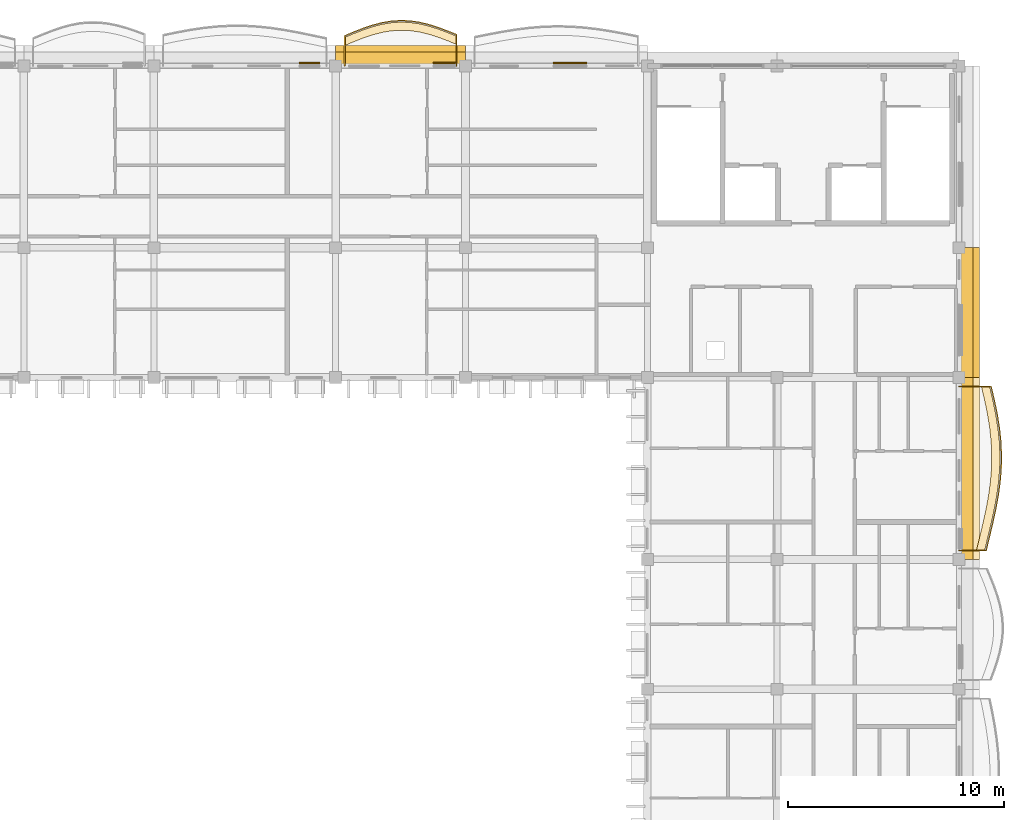
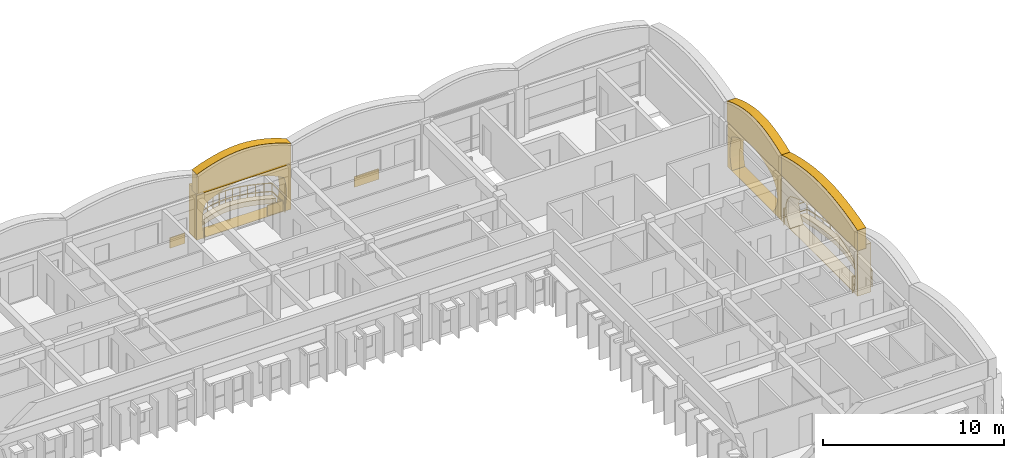
# One storey, part 27 of 28: 11 coverings, 2 railings.
"""IFC4 building model written with IfcOpenShell, lengths in metres."""

from ifc_helpers import new_model, si_unit, direction, frame, origin, origin_2d, place, context, subcontext, project, spatial, polyline, rectangle, outline, extrude, material, layer, layer_set, type_object, element, save


model = new_model("IFC4")

# Units and contexts
model_context = context("Model", 3, precision=1e-05, world=origin(), true_north=direction((0.0, 1.0)))
body_context = subcontext(model_context, "Body", "Model", "MODEL_VIEW")
ifc_project = project(units=[si_unit("LENGTHUNIT", "METRE"), si_unit("AREAUNIT", "SQUARE_METRE"), si_unit("VOLUMEUNIT", "CUBIC_METRE"), si_unit("PLANEANGLEUNIT", "RADIAN"), si_unit("MASSUNIT", "GRAM", prefix="KILO"), si_unit("THERMODYNAMICTEMPERATUREUNIT", "KELVIN")], contexts=[model_context])

# Site, building, storey
site_placement = place(None, origin())
site = spatial("IfcSite", under=ifc_project, at=site_placement, CompositionType="ELEMENT")
building_placement = place(site_placement, origin())
building = spatial("IfcBuilding", under=site, at=building_placement, Name="Thalorik Housing Commons", CompositionType="ELEMENT")
storey_placement = place(building_placement, frame((0.0, 0.0, 41.10009765625)))
storey = spatial("IfcBuildingStorey", under=building, at=storey_placement, Name="L12", CompositionType="ELEMENT", Elevation=41.10009765625)

# Coverings
ifc_material_1 = material(Name="Cobalt blue glazed ceramic facade tile panel", Category="masonry")
ifc_layer_1 = layer(ifc_material_1, 0.06005859375, Name="Cobalt blue glazed ceramic facade tile panel", Category="masonry")
ifc_layer_set_1 = layer_set([ifc_layer_1], Name="Cobalt blue glazed ceramic facade tile panel")
covering_type_1 = type_object("IfcCoveringType", Name="ARC-CLD-BLU-60", PredefinedType="CLADDING", material=ifc_layer_set_1)
covering_1_placement = place(storey_placement, frame((148.8349609375, 123.737548828125, 0.0498046875), z_axis=(0.0, 0.0, 1.0), x_axis=(-1.0, 0.0, 0.0)))
element("IfcCovering", 1, at=covering_1_placement, inside=storey, type_object=covering_type_1, Name="L12 De Stijl Recessed Window Spandrel 3271", PredefinedType="CLADDING", context=body_context, shape_type="SweptSolid", body=[
    extrude(rectangle(XDim=1.550048828125, YDim=0.06005859375, at=origin_2d()), origin(), (0.0, 0.0, 1.0), 0.699951171875),
])
ifc_material_2 = material(Name="Precast concrete C40/50", Category="concrete")
ifc_layer_2 = layer(ifc_material_2, 0.85009765625, Name="Precast concrete C40/50", Category="concrete")
ifc_layer_set_2 = layer_set([ifc_layer_2], Name="Precast concrete C40/50")
covering_type_2 = type_object("IfcCoveringType", Name="ARC-CLD-CUSH-850", PredefinedType="CLADDING", material=ifc_layer_set_2)
covering_2_placement = place(storey_placement, frame((167.327392578125, 112.199951171875, 0.0), z_axis=(0.0, 0.0, 1.0), x_axis=(0.0, 1.0, 0.0)))
element("IfcCovering", 2, at=covering_2_placement, inside=storey, type_object=covering_type_2, Name="L12 White Precast Curved Cushion Bay Frame 3266", PredefinedType="CLADDING", context=body_context, shape_type="SweptSolid", body=[
    extrude(outline(polyline([(-3.0, 0.0), (3.0, 0.0), (3.0, 3.300048828125), (-3.0, 3.300048828125), (-3.0, 0.0)]), holes=[polyline([(2.5048828125, 0.02490234375), (2.609619140625, 0.404296875), (2.672119140625, 0.783203125), (2.693115234375, 1.16259765625), (2.672119140625, 1.541748046875), (2.609619140625, 1.9208984375), (2.5048828125, 2.300048828125), (2.125732421875, 2.525390625), (1.74658203125, 2.7021484375), (1.367431640625, 2.845458984375), (0.98828125, 2.951904296875), (0.609130859375, 3.017822265625), (0.22998046875, 3.0400390625), (-0.149169921875, 3.017822265625), (-0.5283203125, 2.951904296875), (-0.907470703125, 2.845458984375), (-1.28662109375, 2.7021484375), (-1.665771484375, 2.525390625), (-2.044921875, 2.300048828125), (-2.32568359375, 1.9208984375), (-2.493896484375, 1.541748046875), (-2.550048828125, 1.16259765625), (-2.493896484375, 0.783203125), (-2.32568359375, 0.404296875), (-2.044921875, 0.02490234375), (2.5048828125, 0.02490234375)])]), frame((0.0, 0.425048828125, 0.0), z_axis=(0.0, -1.0, 0.0), x_axis=(1.0, 0.0, 0.0)), (0.0, 0.0, 1.0), 0.85009765625),
])
covering_3_placement = place(storey_placement, frame((141.0, 124.12744140625, 0.0), z_axis=(0.0, 0.0, 1.0), x_axis=(-1.0, 0.0, 0.0)))
element("IfcCovering", 3, at=covering_3_placement, inside=storey, type_object=covering_type_2, Name="L12 White Precast Curved Cushion Bay Frame 3272", PredefinedType="CLADDING", context=body_context, shape_type="SweptSolid", body=[
    extrude(outline(polyline([(-3.0, 0.0), (3.0, 0.0), (3.0, 3.300048828125), (-3.0, 3.300048828125), (-3.0, 0.0)]), holes=[polyline([(2.432861328125, 0.02490234375), (2.552490234375, 0.399169921875), (2.62451171875, 0.773193359375), (2.648193359375, 1.1474609375), (2.62451171875, 1.521728515625), (2.552490234375, 1.895751953125), (2.432861328125, 2.27001953125), (2.01611328125, 2.50439453125), (1.599609375, 2.6884765625), (1.182861328125, 2.837646484375), (0.76611328125, 2.948486328125), (0.349609375, 3.016845703125), (-0.067138671875, 3.0400390625), (-0.48388671875, 3.016845703125), (-0.900390625, 2.948486328125), (-1.317138671875, 2.837646484375), (-1.73388671875, 2.6884765625), (-2.150390625, 2.50439453125), (-2.567138671875, 2.27001953125), (-2.65869140625, 1.895751953125), (-2.71337890625, 1.521728515625), (-2.731689453125, 1.1474609375), (-2.71337890625, 0.773193359375), (-2.65869140625, 0.399169921875), (-2.567138671875, 0.02490234375), (2.432861328125, 0.02490234375)])]), frame((0.0, 0.425048828125, 0.0), z_axis=(0.0, -1.0, 0.0), x_axis=(1.0, 0.0, 0.0)), (0.0, 0.0, 1.0), 0.85009765625),
])
covering_4_placement = place(storey_placement, frame((167.327392578125, 105.0, 0.0), z_axis=(0.0, 0.0, 1.0), x_axis=(0.0, 1.0, 0.0)))
element("IfcCovering", 4, at=covering_4_placement, inside=storey, type_object=covering_type_2, Name="L12 White Precast Curved Cushion Bay Frame 3399", PredefinedType="CLADDING", context=body_context, shape_type="SweptSolid", body=[
    extrude(outline(polyline([(-4.199951171875, 0.0), (4.199951171875, 0.0), (4.199951171875, 3.300048828125), (-4.199951171875, 3.300048828125), (-4.199951171875, 0.0)]), holes=[polyline([(3.264404296875, 0.02490234375), (3.5341796875, 0.387451171875), (3.696044921875, 0.75), (3.75, 1.112548828125), (3.696044921875, 1.47509765625), (3.5341796875, 1.83740234375), (3.264404296875, 2.199951171875), (2.6787109375, 2.455810546875), (2.0927734375, 2.656494140625), (1.507080078125, 2.819091796875), (0.92138671875, 2.940185546875), (0.33544921875, 3.014892578125), (-0.250244140625, 3.0400390625), (-0.836181640625, 3.014892578125), (-1.421875, 2.940185546875), (-2.007568359375, 2.819091796875), (-2.593505859375, 2.656494140625), (-3.17919921875, 2.455810546875), (-3.764892578125, 2.199951171875), (-3.856689453125, 1.83740234375), (-3.911865234375, 1.47509765625), (-3.930419921875, 1.112548828125), (-3.911865234375, 0.75), (-3.856689453125, 0.387451171875), (-3.764892578125, 0.02490234375), (3.264404296875, 0.02490234375)])]), frame((0.0, 0.425048828125, 0.0), z_axis=(0.0, -1.0, 0.0), x_axis=(1.0, 0.0, 0.0)), (0.0, 0.0, 1.0), 0.85009765625),
])
ifc_layer_3 = layer(ifc_material_2, 0.550048828125, Name="Precast concrete C40/50", Category="concrete")
ifc_layer_set_3 = layer_set([ifc_layer_3], Name="Precast concrete C40/50")
covering_type_3 = type_object("IfcCoveringType", Name="ARC-CLD-PAR-550", PredefinedType="CLADDING", material=ifc_layer_set_3)
for number, where, z_axis, x_axis, name in (
    (5, (167.1650390625, 112.199951171875, 3.059814453125), (0.0, 0.0, 1.0), (0.0, 1.0, 0.0), "L12 Block B Scalloped White Precast Parapet Crest 3401"),
    (6, (141.0, 123.965087890625, 3.059814453125), (0.0, 0.0, 1.0), (-1.0, 0.0, 0.0), "L12 Block B Scalloped White Precast Parapet Crest 3406"),
):
    element("IfcCovering", number, at=place(storey_placement, frame(where, z_axis=z_axis, x_axis=x_axis)), inside=storey, type_object=covering_type_3, Name=name, PredefinedType="CLADDING", context=body_context, shape_type="SweptSolid", body=[
        extrude(outline(polyline([(-3.0, 0.0), (3.0, 0.0), (3.0, 1.3798828125), (2.5, 1.58154296875), (2.0, 1.744384765625), (1.5, 1.877685546875), (1.0, 1.977294921875), (0.5, 2.0390625), (0.0, 2.06005859375), (-0.5, 2.0390625), (-1.0, 1.977294921875), (-1.5, 1.877685546875), (-2.0, 1.744384765625), (-2.5, 1.58154296875), (-3.0, 1.3798828125), (-3.0, 0.0)])), frame((0.0, 0.27490234375, 0.0), z_axis=(0.0, -1.0, 0.0), x_axis=(1.0, 0.0, 0.0)), (0.0, 0.0, 1.0), 0.550048828125),
    ])
covering_5_placement = place(storey_placement, frame((167.1650390625, 105.0, 3.059814453125), z_axis=(0.0, 0.0, 1.0), x_axis=(0.0, 1.0, 0.0)))
element("IfcCovering", 7, at=covering_5_placement, inside=storey, type_object=covering_type_3, Name="L12 Block B Scalloped White Precast Parapet Crest 3413", PredefinedType="CLADDING", context=body_context, shape_type="SweptSolid", body=[
    extrude(outline(polyline([(-4.199951171875, 0.0), (4.199951171875, 0.0), (4.199951171875, 1.3798828125), (3.5, 1.58154296875), (2.800048828125, 1.744384765625), (2.10009765625, 1.877685546875), (1.39990234375, 1.977294921875), (0.699951171875, 2.0390625), (0.0, 2.06005859375), (-0.699951171875, 2.0390625), (-1.39990234375, 1.977294921875), (-2.10009765625, 1.877685546875), (-2.800048828125, 1.744384765625), (-3.5, 1.58154296875), (-4.199951171875, 1.3798828125), (-4.199951171875, 0.0)])), frame((0.0, 0.27490234375, 0.0), z_axis=(0.0, -1.0, 0.0), x_axis=(1.0, 0.0, 0.0)), (0.0, 0.0, 1.0), 0.550048828125),
])
ifc_material_3 = material(Name="Terracotta red mineral fibre-cement panel", Category="masonry")
ifc_layer_4 = layer(ifc_material_3, 0.054931640625, Name="Terracotta red mineral fibre-cement panel", Category="masonry")
ifc_layer_set_4 = layer_set([ifc_layer_4], Name="Terracotta red mineral fibre-cement panel")
covering_type_4 = type_object("IfcCoveringType", Name="ARC-CLD-RED-55", PredefinedType="CLADDING", material=ifc_layer_set_4)
covering_6_placement = place(storey_placement, frame((136.7900390625, 123.735107421875, 0.0498046875), z_axis=(0.0, 0.0, 1.0), x_axis=(-1.0, 0.0, 0.0)))
element("IfcCovering", 8, at=covering_6_placement, inside=storey, type_object=covering_type_4, Name="L12 De Stijl Recessed Window Spandrel 3275", PredefinedType="CLADDING", context=body_context, shape_type="SweptSolid", body=[
    extrude(rectangle(XDim=0.949951171875, YDim=0.054931640625, at=origin_2d()), origin(), (0.0, 0.0, 1.0), 0.699951171875),
])
ifc_material_4 = material(Name="Mineral ochre architectural terracotta panel", Category="masonry")
ifc_layer_5 = layer(ifc_material_4, 0.06494140625, Name="Mineral ochre architectural terracotta panel", Category="masonry")
ifc_layer_set_5 = layer_set([ifc_layer_5], Name="Mineral ochre architectural terracotta panel")
covering_type_5 = type_object("IfcCoveringType", Name="ARC-CLD-YEL-65", PredefinedType="CLADDING", material=ifc_layer_set_5)
covering_7_placement = place(storey_placement, frame((143.01708984375, 123.739990234375, 0.0498046875), z_axis=(0.0, 0.0, 1.0), x_axis=(-1.0, 0.0, 0.0)))
element("IfcCovering", 9, at=covering_7_placement, inside=storey, type_object=covering_type_5, Name="L12 De Stijl Recessed Window Spandrel 3273", PredefinedType="CLADDING", context=body_context, shape_type="SweptSolid", body=[
    extrude(rectangle(XDim=1.0, YDim=0.06494140625, at=origin_2d()), origin(), (0.0, 0.0, 1.0), 0.699951171875),
])
ifc_material_5 = material(Name="Planted vegetated substrate and terracotta trough", Category="masonry")
ifc_layer_6 = layer(ifc_material_5, 0.340087890625, Name="Planted vegetated substrate and terracotta trough", Category="masonry")
ifc_layer_set_6 = layer_set([ifc_layer_6], Name="Planted vegetated substrate and terracotta trough")
covering_type_6 = type_object("IfcCoveringType", Name="ARC-COV-PLANTER", PredefinedType="USERDEFINED", material=ifc_layer_set_6)
covering_8_placement = place(storey_placement, origin())
element("IfcCovering", 10, at=covering_8_placement, inside=storey, type_object=covering_type_6, Name="L12 Balcony Slab-Edge Planted Trough 5562", ObjectType="PLANTER", PredefinedType="USERDEFINED", context=body_context, shape_type="SweptSolid", body=[
    extrude(outline(polyline([(143.580078125, 124.976318359375), (143.14990234375, 125.150146484375), (142.719970703125, 125.31005859375), (142.2900390625, 125.4453125), (141.860107421875, 125.547119140625), (141.429931640625, 125.60888671875), (141.0, 125.6259765625), (140.570068359375, 125.597412109375), (140.139892578125, 125.524658203125), (139.7099609375, 125.41259765625), (139.280029296875, 125.26806640625), (138.85009765625, 125.1005859375), (138.419921875, 124.920654296875), (138.419921875, 124.540771484375), (138.85009765625, 124.720458984375), (139.280029296875, 124.88818359375), (139.7099609375, 125.032470703125), (140.139892578125, 125.144775390625), (140.570068359375, 125.21728515625), (141.0, 125.245849609375), (141.429931640625, 125.228759765625), (141.860107421875, 125.167236328125), (142.2900390625, 125.0654296875), (142.719970703125, 124.93017578125), (143.14990234375, 124.770263671875), (143.580078125, 124.59619140625), (143.580078125, 124.976318359375)])), origin(), (0.0, 0.0, 1.0), 0.33984375),
])
covering_9_placement = place(storey_placement, origin())
element("IfcCovering", 11, at=covering_9_placement, inside=storey, type_object=covering_type_6, Name="L12 Balcony Slab-Edge Planted Trough 5566", ObjectType="PLANTER", PredefinedType="USERDEFINED", context=body_context, shape_type="SweptSolid", body=[
    extrude(outline(polyline([(167.98681640625, 101.219970703125), (168.138671875, 101.85009765625), (168.28857421875, 102.47998046875), (168.426513671875, 103.110107421875), (168.542724609375, 103.739990234375), (168.62939453125, 104.3701171875), (168.68017578125, 105.0), (168.691650390625, 105.6298828125), (168.662841796875, 106.260009765625), (168.59521484375, 106.889892578125), (168.493408203125, 107.52001953125), (168.364013671875, 108.14990234375), (168.216064453125, 108.780029296875), (167.8359375, 108.780029296875), (167.984130859375, 108.14990234375), (168.11328125, 107.52001953125), (168.215087890625, 106.889892578125), (168.28271484375, 106.260009765625), (168.311767578125, 105.6298828125), (168.30029296875, 105.0), (168.249267578125, 104.3701171875), (168.16259765625, 103.739990234375), (168.04638671875, 103.110107421875), (167.90869140625, 102.47998046875), (167.7587890625, 101.85009765625), (167.606689453125, 101.219970703125), (167.98681640625, 101.219970703125)])), origin(), (0.0, 0.0, 1.0), 0.33984375),
])

# Railings
ifc_material_6 = material(Name="Steel S355", Category="steel")
railing_type = type_object("IfcRailingType", Name="ARC-RL-BAL-112", PredefinedType="BALUSTRADE", material=ifc_material_6)
railing_1_placement = place(storey_placement, frame((143.580078125, 123.60009765625, 0.0)))
element("IfcRailing", 12, at=railing_1_placement, inside=storey, type_object=railing_type, Name="L12 Cushion Balcony Guardrail 246", PredefinedType="BALUSTRADE", context=body_context, shape_type="SweptSolid", body=[
    extrude(rectangle(XDim=0.050048828125, YDim=0.050048828125, at=origin_2d()), frame((0.0, 0.0, 1.09521484375), z_axis=(0.0, 1.0, 0.0), x_axis=(-1.0, 0.0, 0.0)), (0.0, 0.0, 1.0), 1.4462890625),
    extrude(rectangle(XDim=0.050048828125, YDim=0.050048828125, at=origin_2d()), frame((0.0, 0.0, 0.53515625), z_axis=(0.0, 1.0, 0.0), x_axis=(-1.0, 0.0, 0.0)), (0.0, 0.0, 1.0), 1.4462890625),
    extrude(rectangle(XDim=0.050048828125, YDim=0.050048828125, at=origin_2d()), frame((0.0, 1.4462890625, 1.09521484375), z_axis=(-0.927164518646, 0.374654447943, 0.0), x_axis=(-0.374654447943, -0.927164518646, 0.0)), (0.0, 0.0, 1.0), 0.4638671875),
    extrude(rectangle(XDim=0.050048828125, YDim=0.050048828125, at=origin_2d()), frame((0.0, 1.4462890625, 0.53515625), z_axis=(-0.927164518646, 0.374654447943, 0.0), x_axis=(-0.374654447943, -0.927164518646, 0.0)), (0.0, 0.0, 1.0), 0.4638671875),
    extrude(rectangle(XDim=0.050048828125, YDim=0.050048828125, at=origin_2d()), frame((-0.43017578125, 1.6201171875, 1.09521484375), z_axis=(-0.93726634386, 0.348614114269, 0.0), x_axis=(-0.348614114269, -0.93726634386, 0.0)), (0.0, 0.0, 1.0), 0.458740234375),
    extrude(rectangle(XDim=0.050048828125, YDim=0.050048828125, at=origin_2d()), frame((-0.43017578125, 1.6201171875, 0.53515625), z_axis=(-0.93726634386, 0.348614114269, 0.0), x_axis=(-0.348614114269, -0.93726634386, 0.0)), (0.0, 0.0, 1.0), 0.458740234375),
    extrude(rectangle(XDim=0.050048828125, YDim=0.050048828125, at=origin_2d()), frame((-0.860107421875, 1.780029296875, 1.09521484375), z_axis=(-0.953909569084, 0.300094208559, 0.0), x_axis=(-0.300094208559, -0.953909569084, 0.0)), (0.0, 0.0, 1.0), 0.45068359375),
    extrude(rectangle(XDim=0.050048828125, YDim=0.050048828125, at=origin_2d()), frame((-0.860107421875, 1.780029296875, 0.53515625), z_axis=(-0.953909569084, 0.300094208559, 0.0), x_axis=(-0.300094208559, -0.953909569084, 0.0)), (0.0, 0.0, 1.0), 0.45068359375),
    extrude(rectangle(XDim=0.050048828125, YDim=0.050048828125, at=origin_2d()), frame((-1.2900390625, 1.915283203125, 1.09521484375), z_axis=(-0.973090069964, 0.230425076192, 0.0), x_axis=(-0.230425076192, -0.973090069964, 0.0)), (0.0, 0.0, 1.0), 0.44189453125),
    extrude(rectangle(XDim=0.050048828125, YDim=0.050048828125, at=origin_2d()), frame((-1.2900390625, 1.915283203125, 0.53515625), z_axis=(-0.973090069964, 0.230425076192, 0.0), x_axis=(-0.230425076192, -0.973090069964, 0.0)), (0.0, 0.0, 1.0), 0.44189453125),
    extrude(rectangle(XDim=0.050048828125, YDim=0.050048828125, at=origin_2d()), frame((-1.719970703125, 2.01708984375, 1.09521484375), z_axis=(-0.989927008359, 0.141578664079, 0.0), x_axis=(-0.141578664079, -0.989927008359, 0.0)), (0.0, 0.0, 1.0), 0.4345703125),
    extrude(rectangle(XDim=0.050048828125, YDim=0.050048828125, at=origin_2d()), frame((-1.719970703125, 2.01708984375, 0.53515625), z_axis=(-0.989927008359, 0.141578664079, 0.0), x_axis=(-0.141578664079, -0.989927008359, 0.0)), (0.0, 0.0, 1.0), 0.4345703125),
    extrude(rectangle(XDim=0.050048828125, YDim=0.050048828125, at=origin_2d()), frame((-2.150146484375, 2.07861328125, 1.09521484375), z_axis=(-0.999210898113, 0.039718775053, 0.0), x_axis=(-0.039718775053, -0.999210898113, 0.0)), (0.0, 0.0, 1.0), 0.43017578125),
    extrude(rectangle(XDim=0.050048828125, YDim=0.050048828125, at=origin_2d()), frame((-2.150146484375, 2.07861328125, 0.53515625), z_axis=(-0.999210898113, 0.039718775053, 0.0), x_axis=(-0.039718775053, -0.999210898113, 0.0)), (0.0, 0.0, 1.0), 0.43017578125),
    extrude(rectangle(XDim=0.050048828125, YDim=0.050048828125, at=origin_2d()), frame((-2.580078125, 2.095703125, 1.09521484375), z_axis=(-0.997800175086, -0.06629336768, 0.0), x_axis=(0.06629336768, -0.997800175086, 0.0)), (0.0, 0.0, 1.0), 0.430908203125),
    extrude(rectangle(XDim=0.050048828125, YDim=0.050048828125, at=origin_2d()), frame((-2.580078125, 2.095703125, 0.53515625), z_axis=(-0.997800175086, -0.06629336768, 0.0), x_axis=(0.06629336768, -0.997800175086, 0.0)), (0.0, 0.0, 1.0), 0.430908203125),
    extrude(rectangle(XDim=0.050048828125, YDim=0.050048828125, at=origin_2d()), frame((-3.010009765625, 2.067138671875, 1.09521484375), z_axis=(-0.98608974454, -0.166213765113, 0.0), x_axis=(0.166213765113, -0.98608974454, 0.0)), (0.0, 0.0, 1.0), 0.436279296875),
    extrude(rectangle(XDim=0.050048828125, YDim=0.050048828125, at=origin_2d()), frame((-3.010009765625, 2.067138671875, 0.53515625), z_axis=(-0.98608974454, -0.166213765113, 0.0), x_axis=(0.166213765113, -0.98608974454, 0.0)), (0.0, 0.0, 1.0), 0.436279296875),
    extrude(rectangle(XDim=0.050048828125, YDim=0.050048828125, at=origin_2d()), frame((-3.440185546875, 1.99462890625, 1.09521484375), z_axis=(-0.967535537468, -0.252735006948, 0.0), x_axis=(0.252735006948, -0.967535537468, 0.0)), (0.0, 0.0, 1.0), 0.4443359375),
    extrude(rectangle(XDim=0.050048828125, YDim=0.050048828125, at=origin_2d()), frame((-3.440185546875, 1.99462890625, 0.53515625), z_axis=(-0.967535537468, -0.252735006948, 0.0), x_axis=(0.252735006948, -0.967535537468, 0.0)), (0.0, 0.0, 1.0), 0.4443359375),
    extrude(rectangle(XDim=0.050048828125, YDim=0.050048828125, at=origin_2d()), frame((-3.8701171875, 1.88232421875, 1.09521484375), z_axis=(-0.948035297772, -0.318165168077, 0.0), x_axis=(0.318165168077, -0.948035297772, 0.0)), (0.0, 0.0, 1.0), 0.45361328125),
    extrude(rectangle(XDim=0.050048828125, YDim=0.050048828125, at=origin_2d()), frame((-3.8701171875, 1.88232421875, 0.53515625), z_axis=(-0.948035297772, -0.318165168077, 0.0), x_axis=(0.318165168077, -0.948035297772, 0.0)), (0.0, 0.0, 1.0), 0.45361328125),
    extrude(rectangle(XDim=0.050048828125, YDim=0.050048828125, at=origin_2d()), frame((-4.300048828125, 1.738037109375, 1.09521484375), z_axis=(-0.931616942852, -0.363441703429, 0.0), x_axis=(0.363441703429, -0.931616942852, 0.0)), (0.0, 0.0, 1.0), 0.46142578125),
    extrude(rectangle(XDim=0.050048828125, YDim=0.050048828125, at=origin_2d()), frame((-4.300048828125, 1.738037109375, 0.53515625), z_axis=(-0.931616942852, -0.363441703429, 0.0), x_axis=(0.363441703429, -0.931616942852, 0.0)), (0.0, 0.0, 1.0), 0.46142578125),
    extrude(rectangle(XDim=0.050048828125, YDim=0.050048828125, at=origin_2d()), frame((-4.72998046875, 1.5703125, 1.09521484375), z_axis=(-0.922735699508, -0.385433300135, 0.0), x_axis=(0.385433300135, -0.922735699508, 0.0)), (0.0, 0.0, 1.0), 0.46630859375),
    extrude(rectangle(XDim=0.050048828125, YDim=0.050048828125, at=origin_2d()), frame((-4.72998046875, 1.5703125, 0.53515625), z_axis=(-0.922735699508, -0.385433300135, 0.0), x_axis=(0.385433300135, -0.922735699508, 0.0)), (0.0, 0.0, 1.0), 0.46630859375),
    extrude(rectangle(XDim=0.050048828125, YDim=0.050048828125, at=origin_2d()), frame((-5.16015625, 1.390625, 1.09521484375), z_axis=(0.0, -1.0, 0.0), x_axis=(1.0, 0.0, 0.0)), (0.0, 0.0, 1.0), 1.390625),
    extrude(rectangle(XDim=0.050048828125, YDim=0.050048828125, at=origin_2d()), frame((-5.16015625, 1.390625, 0.53515625), z_axis=(0.0, -1.0, 0.0), x_axis=(1.0, 0.0, 0.0)), (0.0, 0.0, 1.0), 1.390625),
    extrude(rectangle(XDim=0.0419921875, YDim=0.0419921875, at=origin_2d()), origin(), (0.0, 0.0, 1.0), 1.070068359375),
    extrude(rectangle(XDim=0.0419921875, YDim=0.0419921875, at=origin_2d()), frame((0.0, 1.4462890625, 0.0)), (0.0, 0.0, 1.0), 1.070068359375),
    extrude(rectangle(XDim=0.0419921875, YDim=0.0419921875, at=origin_2d()), frame((-0.43017578125, 1.6201171875, 0.0)), (0.0, 0.0, 1.0), 1.070068359375),
    extrude(rectangle(XDim=0.0419921875, YDim=0.0419921875, at=origin_2d()), frame((-0.860107421875, 1.780029296875, 0.0)), (0.0, 0.0, 1.0), 1.070068359375),
    extrude(rectangle(XDim=0.0419921875, YDim=0.0419921875, at=origin_2d()), frame((-1.2900390625, 1.915283203125, 0.0)), (0.0, 0.0, 1.0), 1.070068359375),
    extrude(rectangle(XDim=0.0419921875, YDim=0.0419921875, at=origin_2d()), frame((-1.719970703125, 2.01708984375, 0.0)), (0.0, 0.0, 1.0), 1.070068359375),
    extrude(rectangle(XDim=0.0419921875, YDim=0.0419921875, at=origin_2d()), frame((-2.150146484375, 2.07861328125, 0.0)), (0.0, 0.0, 1.0), 1.070068359375),
    extrude(rectangle(XDim=0.0419921875, YDim=0.0419921875, at=origin_2d()), frame((-2.580078125, 2.095703125, 0.0)), (0.0, 0.0, 1.0), 1.070068359375),
    extrude(rectangle(XDim=0.0419921875, YDim=0.0419921875, at=origin_2d()), frame((-3.010009765625, 2.067138671875, 0.0)), (0.0, 0.0, 1.0), 1.070068359375),
    extrude(rectangle(XDim=0.0419921875, YDim=0.0419921875, at=origin_2d()), frame((-3.440185546875, 1.99462890625, 0.0)), (0.0, 0.0, 1.0), 1.070068359375),
    extrude(rectangle(XDim=0.0419921875, YDim=0.0419921875, at=origin_2d()), frame((-3.8701171875, 1.88232421875, 0.0)), (0.0, 0.0, 1.0), 1.070068359375),
    extrude(rectangle(XDim=0.0419921875, YDim=0.0419921875, at=origin_2d()), frame((-4.300048828125, 1.738037109375, 0.0)), (0.0, 0.0, 1.0), 1.070068359375),
    extrude(rectangle(XDim=0.0419921875, YDim=0.0419921875, at=origin_2d()), frame((-4.72998046875, 1.5703125, 0.0)), (0.0, 0.0, 1.0), 1.070068359375),
    extrude(rectangle(XDim=0.0419921875, YDim=0.0419921875, at=origin_2d()), frame((-5.16015625, 1.390625, 0.0)), (0.0, 0.0, 1.0), 1.070068359375),
    extrude(rectangle(XDim=0.0419921875, YDim=0.0419921875, at=origin_2d()), frame((-5.16015625, 0.0, 0.0)), (0.0, 0.0, 1.0), 1.070068359375),
])
railing_2_placement = place(storey_placement, frame((166.800048828125, 101.219970703125, 0.0)))
element("IfcRailing", 13, at=railing_2_placement, inside=storey, type_object=railing_type, Name="L12 Cushion Balcony Guardrail 250", PredefinedType="BALUSTRADE", context=body_context, shape_type="SweptSolid", body=[
    extrude(rectangle(XDim=0.050048828125, YDim=0.050048828125, at=origin_2d()), frame((0.0, 0.0, 1.09521484375), z_axis=(1.0, 0.0, 0.0), x_axis=(0.0, 1.0, 0.0)), (0.0, 0.0, 1.0), 1.2568359375),
    extrude(rectangle(XDim=0.050048828125, YDim=0.050048828125, at=origin_2d()), frame((0.0, 0.0, 0.53515625), z_axis=(1.0, 0.0, 0.0), x_axis=(0.0, 1.0, 0.0)), (0.0, 0.0, 1.0), 1.2568359375),
    extrude(rectangle(XDim=0.050048828125, YDim=0.050048828125, at=origin_2d()), frame((1.2568359375, 0.0, 1.09521484375), z_axis=(0.234284591689, 0.972168056509, 0.0), x_axis=(-0.972168056509, 0.234284591689, 0.0)), (0.0, 0.0, 1.0), 0.648193359375),
    extrude(rectangle(XDim=0.050048828125, YDim=0.050048828125, at=origin_2d()), frame((1.2568359375, 0.0, 0.53515625), z_axis=(0.234284591689, 0.972168056509, 0.0), x_axis=(-0.972168056509, 0.234284591689, 0.0)), (0.0, 0.0, 1.0), 0.648193359375),
    extrude(rectangle(XDim=0.050048828125, YDim=0.050048828125, at=origin_2d()), frame((1.40869140625, 0.630126953125, 1.09521484375), z_axis=(0.231518572545, 0.972830483983, 0.0), x_axis=(-0.972830483983, 0.231518572545, 0.0)), (0.0, 0.0, 1.0), 0.6474609375),
    extrude(rectangle(XDim=0.050048828125, YDim=0.050048828125, at=origin_2d()), frame((1.40869140625, 0.630126953125, 0.53515625), z_axis=(0.231518572545, 0.972830483983, 0.0), x_axis=(-0.972830483983, 0.231518572545, 0.0)), (0.0, 0.0, 1.0), 0.6474609375),
    extrude(rectangle(XDim=0.050048828125, YDim=0.050048828125, at=origin_2d()), frame((1.55859375, 1.260009765625, 1.09521484375), z_axis=(0.213482393647, 0.976946911353, 0.0), x_axis=(-0.976946911353, 0.213482393647, 0.0)), (0.0, 0.0, 1.0), 0.64501953125),
    extrude(rectangle(XDim=0.050048828125, YDim=0.050048828125, at=origin_2d()), frame((1.55859375, 1.260009765625, 0.53515625), z_axis=(0.213482393647, 0.976946911353, 0.0), x_axis=(-0.976946911353, 0.213482393647, 0.0)), (0.0, 0.0, 1.0), 0.64501953125),
    extrude(rectangle(XDim=0.050048828125, YDim=0.050048828125, at=origin_2d()), frame((1.6962890625, 1.89013671875, 1.09521484375), z_axis=(0.181802641006, 0.983335039406, 0.0), x_axis=(-0.983335039406, 0.181802641006, 0.0)), (0.0, 0.0, 1.0), 0.640625),
    extrude(rectangle(XDim=0.050048828125, YDim=0.050048828125, at=origin_2d()), frame((1.6962890625, 1.89013671875, 0.53515625), z_axis=(0.181802641006, 0.983335039406, 0.0), x_axis=(-0.983335039406, 0.181802641006, 0.0)), (0.0, 0.0, 1.0), 0.640625),
    extrude(rectangle(XDim=0.050048828125, YDim=0.050048828125, at=origin_2d()), frame((1.812744140625, 2.52001953125, 1.09521484375), z_axis=(0.1358839844, 0.990724756319, 0.0), x_axis=(-0.990724756319, 0.1358839844, 0.0)), (0.0, 0.0, 1.0), 0.635986328125),
    extrude(rectangle(XDim=0.050048828125, YDim=0.050048828125, at=origin_2d()), frame((1.812744140625, 2.52001953125, 0.53515625), z_axis=(0.1358839844, 0.990724756319, 0.0), x_axis=(-0.990724756319, 0.1358839844, 0.0)), (0.0, 0.0, 1.0), 0.635986328125),
    extrude(rectangle(XDim=0.050048828125, YDim=0.050048828125, at=origin_2d()), frame((1.899169921875, 3.150146484375, 1.09521484375), z_axis=(0.080743256197, 0.996734932958, 0.0), x_axis=(-0.996734932958, 0.080743256197, 0.0)), (0.0, 0.0, 1.0), 0.6318359375),
    extrude(rectangle(XDim=0.050048828125, YDim=0.050048828125, at=origin_2d()), frame((1.899169921875, 3.150146484375, 0.53515625), z_axis=(0.080743256197, 0.996734932958, 0.0), x_axis=(-0.996734932958, 0.080743256197, 0.0)), (0.0, 0.0, 1.0), 0.6318359375),
    extrude(rectangle(XDim=0.050048828125, YDim=0.050048828125, at=origin_2d()), frame((1.9501953125, 3.780029296875, 1.09521484375), z_axis=(0.01821403225, 0.999834110755, 0.0), x_axis=(-0.999834110755, 0.01821403225, 0.0)), (0.0, 0.0, 1.0), 0.6298828125),
    extrude(rectangle(XDim=0.050048828125, YDim=0.050048828125, at=origin_2d()), frame((1.9501953125, 3.780029296875, 0.53515625), z_axis=(0.01821403225, 0.999834110755, 0.0), x_axis=(-0.999834110755, 0.01821403225, 0.0)), (0.0, 0.0, 1.0), 0.6298828125),
    extrude(rectangle(XDim=0.050048828125, YDim=0.050048828125, at=origin_2d()), frame((1.961669921875, 4.409912109375, 1.09521484375), z_axis=(-0.045671007804, 0.998956535114, 0.0), x_axis=(-0.998956535114, -0.045671007804, 0.0)), (0.0, 0.0, 1.0), 0.630859375),
    extrude(rectangle(XDim=0.050048828125, YDim=0.050048828125, at=origin_2d()), frame((1.961669921875, 4.409912109375, 0.53515625), z_axis=(-0.045671007804, 0.998956535114, 0.0), x_axis=(-0.998956535114, -0.045671007804, 0.0)), (0.0, 0.0, 1.0), 0.630859375),
    extrude(rectangle(XDim=0.050048828125, YDim=0.050048828125, at=origin_2d()), frame((1.932861328125, 5.0400390625, 1.09521484375), z_axis=(-0.106750840094, 0.994285803046, 0.0), x_axis=(-0.994285803046, -0.106750840094, 0.0)), (0.0, 0.0, 1.0), 0.633544921875),
    extrude(rectangle(XDim=0.050048828125, YDim=0.050048828125, at=origin_2d()), frame((1.932861328125, 5.0400390625, 0.53515625), z_axis=(-0.106750840094, 0.994285803046, 0.0), x_axis=(-0.994285803046, -0.106750840094, 0.0)), (0.0, 0.0, 1.0), 0.633544921875),
    extrude(rectangle(XDim=0.050048828125, YDim=0.050048828125, at=origin_2d()), frame((1.865234375, 5.669921875, 1.09521484375), z_axis=(-0.159496992938, 0.987198414324, 0.0), x_axis=(-0.987198414324, -0.159496992938, 0.0)), (0.0, 0.0, 1.0), 0.63818359375),
    extrude(rectangle(XDim=0.050048828125, YDim=0.050048828125, at=origin_2d()), frame((1.865234375, 5.669921875, 0.53515625), z_axis=(-0.159496992938, 0.987198414324, 0.0), x_axis=(-0.987198414324, -0.159496992938, 0.0)), (0.0, 0.0, 1.0), 0.63818359375),
    extrude(rectangle(XDim=0.050048828125, YDim=0.050048828125, at=origin_2d()), frame((1.763427734375, 6.300048828125, 1.09521484375), z_axis=(-0.201224395652, 0.979545171288, 0.0), x_axis=(-0.979545171288, -0.201224395652, 0.0)), (0.0, 0.0, 1.0), 0.64306640625),
    extrude(rectangle(XDim=0.050048828125, YDim=0.050048828125, at=origin_2d()), frame((1.763427734375, 6.300048828125, 0.53515625), z_axis=(-0.201224395652, 0.979545171288, 0.0), x_axis=(-0.979545171288, -0.201224395652, 0.0)), (0.0, 0.0, 1.0), 0.64306640625),
    extrude(rectangle(XDim=0.050048828125, YDim=0.050048828125, at=origin_2d()), frame((1.634033203125, 6.929931640625, 1.09521484375), z_axis=(-0.228934223097, 0.973441894257, 0.0), x_axis=(-0.973441894257, -0.228934223097, 0.0)), (0.0, 0.0, 1.0), 0.647216796875),
    extrude(rectangle(XDim=0.050048828125, YDim=0.050048828125, at=origin_2d()), frame((1.634033203125, 6.929931640625, 0.53515625), z_axis=(-0.228934223097, 0.973441894257, 0.0), x_axis=(-0.973441894257, -0.228934223097, 0.0)), (0.0, 0.0, 1.0), 0.647216796875),
    extrude(rectangle(XDim=0.050048828125, YDim=0.050048828125, at=origin_2d()), frame((1.48583984375, 7.56005859375, 1.09521484375), z_axis=(-1.0, 0.0, 0.0), x_axis=(0.0, -1.0, 0.0)), (0.0, 0.0, 1.0), 1.48583984375),
    extrude(rectangle(XDim=0.050048828125, YDim=0.050048828125, at=origin_2d()), frame((1.48583984375, 7.56005859375, 0.53515625), z_axis=(-1.0, 0.0, 0.0), x_axis=(0.0, -1.0, 0.0)), (0.0, 0.0, 1.0), 1.48583984375),
    extrude(rectangle(XDim=0.0419921875, YDim=0.0419921875, at=origin_2d()), origin(), (0.0, 0.0, 1.0), 1.070068359375),
    extrude(rectangle(XDim=0.0419921875, YDim=0.0419921875, at=origin_2d()), frame((1.2568359375, 0.0, 0.0)), (0.0, 0.0, 1.0), 1.070068359375),
    extrude(rectangle(XDim=0.0419921875, YDim=0.0419921875, at=origin_2d()), frame((1.40869140625, 0.630126953125, 0.0)), (0.0, 0.0, 1.0), 1.070068359375),
    extrude(rectangle(XDim=0.0419921875, YDim=0.0419921875, at=origin_2d()), frame((1.55859375, 1.260009765625, 0.0)), (0.0, 0.0, 1.0), 1.070068359375),
    extrude(rectangle(XDim=0.0419921875, YDim=0.0419921875, at=origin_2d()), frame((1.6962890625, 1.89013671875, 0.0)), (0.0, 0.0, 1.0), 1.070068359375),
    extrude(rectangle(XDim=0.0419921875, YDim=0.0419921875, at=origin_2d()), frame((1.812744140625, 2.52001953125, 0.0)), (0.0, 0.0, 1.0), 1.070068359375),
    extrude(rectangle(XDim=0.0419921875, YDim=0.0419921875, at=origin_2d()), frame((1.899169921875, 3.150146484375, 0.0)), (0.0, 0.0, 1.0), 1.070068359375),
    extrude(rectangle(XDim=0.0419921875, YDim=0.0419921875, at=origin_2d()), frame((1.9501953125, 3.780029296875, 0.0)), (0.0, 0.0, 1.0), 1.070068359375),
    extrude(rectangle(XDim=0.0419921875, YDim=0.0419921875, at=origin_2d()), frame((1.961669921875, 4.409912109375, 0.0)), (0.0, 0.0, 1.0), 1.070068359375),
    extrude(rectangle(XDim=0.0419921875, YDim=0.0419921875, at=origin_2d()), frame((1.932861328125, 5.0400390625, 0.0)), (0.0, 0.0, 1.0), 1.070068359375),
    extrude(rectangle(XDim=0.0419921875, YDim=0.0419921875, at=origin_2d()), frame((1.865234375, 5.669921875, 0.0)), (0.0, 0.0, 1.0), 1.070068359375),
    extrude(rectangle(XDim=0.0419921875, YDim=0.0419921875, at=origin_2d()), frame((1.763427734375, 6.300048828125, 0.0)), (0.0, 0.0, 1.0), 1.070068359375),
    extrude(rectangle(XDim=0.0419921875, YDim=0.0419921875, at=origin_2d()), frame((1.634033203125, 6.929931640625, 0.0)), (0.0, 0.0, 1.0), 1.070068359375),
    extrude(rectangle(XDim=0.0419921875, YDim=0.0419921875, at=origin_2d()), frame((1.48583984375, 7.56005859375, 0.0)), (0.0, 0.0, 1.0), 1.070068359375),
    extrude(rectangle(XDim=0.0419921875, YDim=0.0419921875, at=origin_2d()), frame((0.0, 7.56005859375, 0.0)), (0.0, 0.0, 1.0), 1.070068359375),
])

save(model, "model.ifc")
